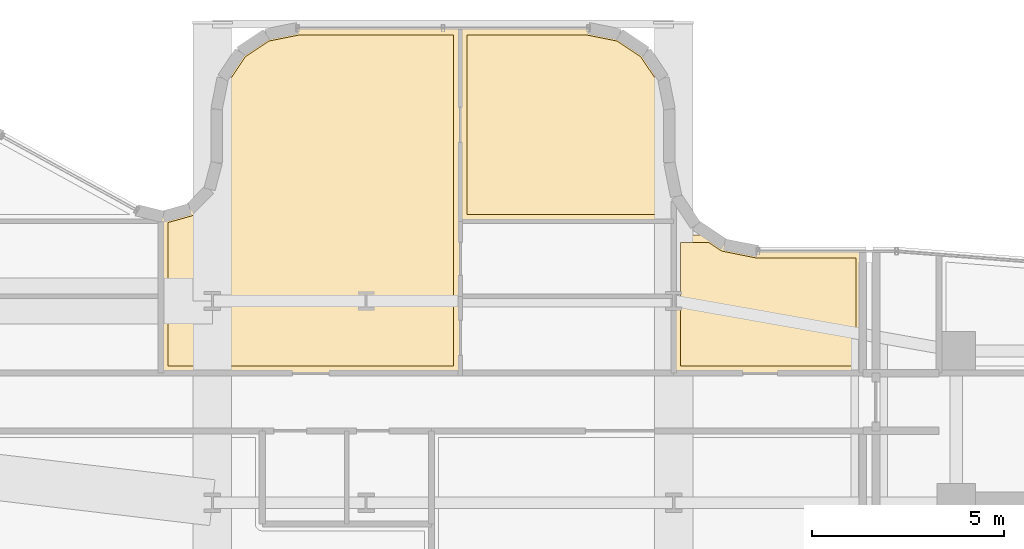
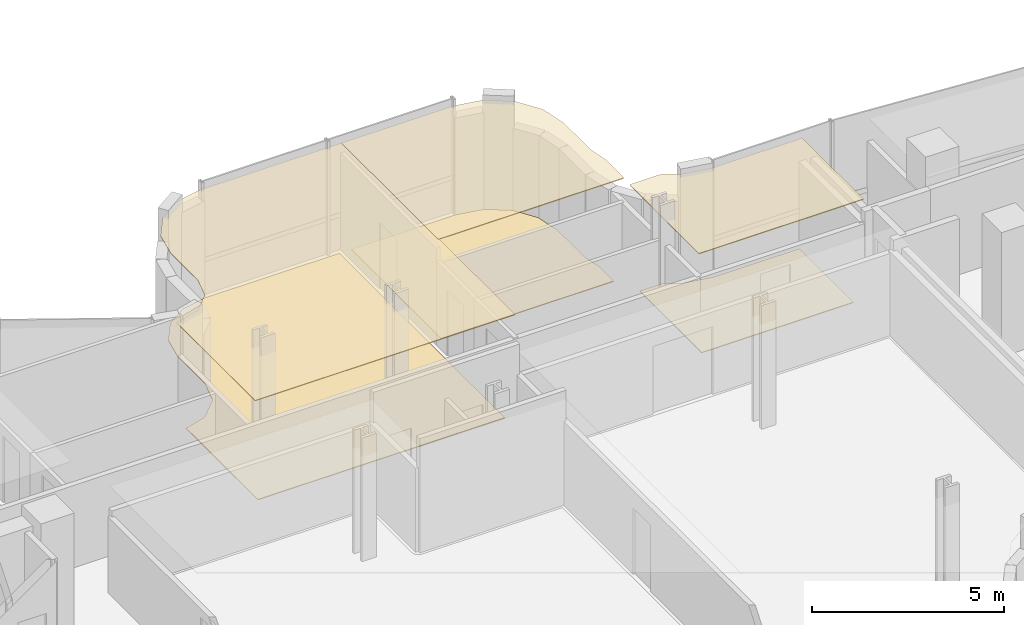
# One storey, part 39 of 39: 6 coverings.
"""IFC4 building model written with IfcOpenShell, lengths in metres."""

from ifc_helpers import new_model, si_unit, direction, frame, origin, place, context, subcontext, project, spatial, polyline, outline, extrude, material, layer, layer_set, type_object, element, save


model = new_model("IFC4")

# Units and contexts
model_context = context("Model", 3, precision=1e-05, world=origin(), true_north=direction((0.0, 1.0)))
body_context = subcontext(model_context, "Body", "Model", "MODEL_VIEW")
ifc_project = project(units=[si_unit("LENGTHUNIT", "METRE"), si_unit("AREAUNIT", "SQUARE_METRE"), si_unit("VOLUMEUNIT", "CUBIC_METRE"), si_unit("PLANEANGLEUNIT", "RADIAN"), si_unit("MASSUNIT", "GRAM", prefix="KILO")], contexts=[model_context])

# Site, building, storey
site_placement = place(None, origin())
site = spatial("IfcSite", under=ifc_project, at=site_placement, CompositionType="ELEMENT")
building_placement = place(site_placement, origin())
building = spatial("IfcBuilding", under=site, at=building_placement, Name="Valdorenza Pilgrim Sanctuary Tower", CompositionType="ELEMENT")
storey_placement = place(building_placement, frame((0.0, 0.0, 184.449951171875)))
storey = spatial("IfcBuildingStorey", under=building, at=storey_placement, Name="L47", CompositionType="ELEMENT", Elevation=184.449951171875)

# Coverings
ifc_material_1 = material(Name="Micro-perforated acoustic mineral ceiling tile", Category="gypsum")
ifc_layer_1 = layer(ifc_material_1, 0.02490234375, Name="Micro-perforated acoustic mineral ceiling tile")
ifc_layer_set_1 = layer_set([ifc_layer_1], Name="Micro-perforated acoustic mineral ceiling tile")
covering_type_1 = type_object("IfcCoveringType", Name="COV-CLG-ACU", PredefinedType="CEILING", material=ifc_layer_set_1)
covering_1_placement = place(storey_placement, frame((0.0, 0.0, 3.330078125)))
element("IfcCovering", 1, at=covering_1_placement, inside=storey, type_object=covering_type_1, Name="L47 North Family Flat L47-N3 Bedroom Acoustic Ceiling", PredefinedType="CEILING", context=body_context, shape_type="SweptSolid", body=[
    extrude(outline(polyline([(2.9501953125, 16.85498046875), (2.94873046875, 16.85498046875), (2.947265625, 16.855224609375), (2.94580078125, 16.855712890625), (2.944580078125, 16.856201171875), (2.943115234375, 16.856689453125), (2.94189453125, 16.857421875), (2.940673828125, 16.8583984375), (2.939697265625, 16.859375), (2.938720703125, 16.860595703125), (2.937744140625, 16.86181640625), (2.93701171875, 16.86279296875), (2.936279296875, 16.8642578125), (2.935791015625, 16.865478515625), (2.935546875, 16.8671875), (2.935302734375, 16.868408203125), (2.935302734375, 16.8701171875), (2.935302734375, 21.889892578125), (2.935302734375, 21.8916015625), (2.935546875, 21.892822265625), (2.935791015625, 21.894287109375), (2.936279296875, 21.895751953125), (2.93701171875, 21.897216796875), (2.937744140625, 21.898193359375), (2.938720703125, 21.8994140625), (2.939697265625, 21.900634765625), (2.940673828125, 21.901611328125), (2.94189453125, 21.902587890625), (2.943115234375, 21.9033203125), (2.944580078125, 21.90380859375), (2.94580078125, 21.904296875), (2.947265625, 21.90478515625), (2.94873046875, 21.90478515625), (2.9501953125, 21.905029296875), (6.28515625, 21.905029296875), (6.28662109375, 21.90478515625), (6.2880859375, 21.90478515625), (7.099365234375, 21.743408203125), (7.100830078125, 21.742919921875), (7.102294921875, 21.742431640625), (7.103515625, 21.74169921875), (7.104736328125, 21.7412109375), (7.783447265625, 21.28759765625), (7.78466796875, 21.286865234375), (7.785888671875, 21.285888671875), (7.786865234375, 21.28466796875), (7.78759765625, 21.283447265625), (8.2412109375, 20.604736328125), (8.24169921875, 20.603515625), (8.242431640625, 20.602294921875), (8.242919921875, 20.600830078125), (8.243408203125, 20.599365234375), (8.40478515625, 19.7880859375), (8.40478515625, 19.78662109375), (8.405029296875, 19.78515625), (8.405029296875, 18.404296875), (8.405517578125, 18.394775390625), (8.406982421875, 18.385009765625), (8.5146484375, 17.84326171875), (8.514892578125, 17.841796875), (8.514892578125, 17.84033203125), (8.514892578125, 16.8701171875), (8.514892578125, 16.868408203125), (8.5146484375, 16.8671875), (8.514404296875, 16.865478515625), (8.513916015625, 16.8642578125), (8.51318359375, 16.86279296875), (8.512451171875, 16.86181640625), (8.51171875, 16.860595703125), (8.510498046875, 16.859375), (8.509521484375, 16.8583984375), (8.50830078125, 16.857421875), (8.507080078125, 16.856689453125), (8.505615234375, 16.856201171875), (8.50439453125, 16.855712890625), (8.5029296875, 16.855224609375), (8.50146484375, 16.85498046875), (8.5, 16.85498046875), (2.9501953125, 16.85498046875)])), origin(), (0.0, 0.0, 1.0), 0.02490234375),
])
covering_2_placement = place(storey_placement, frame((0.0, 0.0, 3.330078125)))
element("IfcCovering", 2, at=covering_2_placement, inside=storey, type_object=covering_type_1, Name="L47 North Family Flat L47-N3 Living Room Acoustic Ceiling", PredefinedType="CEILING", context=body_context, shape_type="SweptSolid", body=[
    extrude(outline(polyline([(-4.845947265625, 14.918212890625), (-4.84619140625, 14.9189453125), (-4.84619140625, 14.92041015625), (-4.84619140625, 14.922119140625), (-4.84619140625, 14.923583984375), (-4.845947265625, 14.923828125), (-4.845947265625, 16.8662109375), (-4.84619140625, 16.866943359375), (-4.84619140625, 16.868408203125), (-4.84619140625, 16.8701171875), (-4.84619140625, 16.87158203125), (-4.845947265625, 16.871826171875), (-4.845947265625, 16.99951171875), (-4.845947265625, 17.001220703125), (-4.845703125, 17.002685546875), (-4.84521484375, 17.004150390625), (-4.8447265625, 17.005615234375), (-4.843994140625, 17.0068359375), (-4.84326171875, 17.008056640625), (-4.84228515625, 17.00927734375), (-4.84130859375, 17.010498046875), (-4.840087890625, 17.011474609375), (-4.839111328125, 17.01220703125), (-4.837646484375, 17.012939453125), (-4.836181640625, 17.013671875), (-4.8349609375, 17.01416015625), (-4.83349609375, 17.014404296875), (-4.831787109375, 17.0146484375), (-4.830322265625, 17.0146484375), (-4.828857421875, 17.014404296875), (-4.827392578125, 17.01416015625), (-4.80615234375, 17.0087890625), (-4.796142578125, 17.0068359375), (-4.786376953125, 17.006103515625), (-4.776611328125, 17.006103515625), (-4.7666015625, 17.00732421875), (-4.756591796875, 17.009765625), (-4.114501953125, 17.19091796875), (-4.104736328125, 17.194091796875), (-4.095947265625, 17.197998046875), (-4.08740234375, 17.203125), (-4.07958984375, 17.208984375), (-4.072021484375, 17.2158203125), (-3.603759765625, 17.69140625), (-3.596923828125, 17.698974609375), (-3.59130859375, 17.70703125), (-3.58642578125, 17.715576171875), (-3.58251953125, 17.724609375), (-3.579345703125, 17.734375), (-3.408203125, 18.37939453125), (-3.406494140625, 18.3876953125), (-3.405517578125, 18.395751953125), (-3.405029296875, 18.404296875), (-3.405029296875, 19.78515625), (-3.40478515625, 19.78662109375), (-3.40478515625, 19.7880859375), (-3.243408203125, 20.599365234375), (-3.242919921875, 20.600830078125), (-3.242431640625, 20.602294921875), (-3.24169921875, 20.603515625), (-3.2412109375, 20.604736328125), (-2.78759765625, 21.283447265625), (-2.786865234375, 21.28466796875), (-2.785888671875, 21.285888671875), (-2.78466796875, 21.286865234375), (-2.783447265625, 21.28759765625), (-2.104736328125, 21.7412109375), (-2.103515625, 21.74169921875), (-2.102294921875, 21.742431640625), (-2.100830078125, 21.742919921875), (-2.099365234375, 21.743408203125), (-1.2880859375, 21.90478515625), (-1.28662109375, 21.90478515625), (-1.28515625, 21.905029296875), (2.9482421875, 21.905029296875), (2.94970703125, 21.90478515625), (2.951171875, 21.90478515625), (2.95263671875, 21.904296875), (2.953857421875, 21.90380859375), (2.955322265625, 21.9033203125), (2.95654296875, 21.902587890625), (2.957763671875, 21.901611328125), (2.958740234375, 21.900634765625), (2.959716796875, 21.8994140625), (2.960693359375, 21.898193359375), (2.96142578125, 21.897216796875), (2.962158203125, 21.895751953125), (2.962646484375, 21.894287109375), (2.962890625, 21.892822265625), (2.963134765625, 21.8916015625), (2.963134765625, 21.889892578125), (2.963134765625, 16.87548828125), (2.96337890625, 16.875), (2.964111328125, 16.87353515625), (2.964599609375, 16.872314453125), (2.96484375, 16.870849609375), (2.965087890625, 16.869384765625), (2.965087890625, 16.867919921875), (2.965087890625, 12.919921875), (2.965087890625, 12.91845703125), (2.96484375, 12.9169921875), (2.964599609375, 12.91552734375), (2.964111328125, 12.914306640625), (2.96337890625, 12.912841796875), (2.962646484375, 12.91162109375), (2.9619140625, 12.910400390625), (2.960693359375, 12.909423828125), (2.959716796875, 12.908447265625), (2.95849609375, 12.907470703125), (2.957275390625, 12.90673828125), (2.955810546875, 12.906005859375), (2.95458984375, 12.905517578125), (2.953125, 12.9052734375), (2.95166015625, 12.905029296875), (2.9501953125, 12.905029296875), (-4.8310546875, 12.905029296875), (-4.83251953125, 12.905029296875), (-4.833984375, 12.9052734375), (-4.83544921875, 12.905517578125), (-4.836669921875, 12.906005859375), (-4.838134765625, 12.90673828125), (-4.83935546875, 12.907470703125), (-4.840576171875, 12.908447265625), (-4.841552734375, 12.909423828125), (-4.842529296875, 12.910400390625), (-4.843505859375, 12.91162109375), (-4.84423828125, 12.912841796875), (-4.844970703125, 12.914306640625), (-4.845458984375, 12.91552734375), (-4.845703125, 12.9169921875), (-4.845947265625, 12.91845703125), (-4.845947265625, 12.919921875), (-4.845947265625, 14.918212890625)])), origin(), (0.0, 0.0, 1.0), 0.02490234375),
])
covering_3_placement = place(storey_placement, frame((0.0, 0.0, 3.330078125)))
element("IfcCovering", 3, at=covering_3_placement, inside=storey, type_object=covering_type_1, Name="L47 East Contemplation Salon L47 Acoustic Ceiling", PredefinedType="CEILING", context=body_context, shape_type="SweptSolid", body=[
    extrude(outline(polyline([(8.487060546875, 14.918212890625), (8.48681640625, 14.9189453125), (8.48681640625, 14.92041015625), (8.48681640625, 14.922119140625), (8.48681640625, 14.923583984375), (8.487060546875, 14.923828125), (8.487060546875, 16.5), (8.487060546875, 16.50146484375), (8.4873046875, 16.5029296875), (8.487548828125, 16.50439453125), (8.488037109375, 16.505615234375), (8.48876953125, 16.507080078125), (8.489501953125, 16.50830078125), (8.490478515625, 16.509521484375), (8.491455078125, 16.510498046875), (8.492431640625, 16.51171875), (8.49365234375, 16.512451171875), (8.494873046875, 16.51318359375), (8.496337890625, 16.513916015625), (8.49755859375, 16.514404296875), (8.4990234375, 16.5146484375), (8.50048828125, 16.514892578125), (8.501953125, 16.514892578125), (9.464599609375, 16.514892578125), (9.466064453125, 16.514892578125), (9.467529296875, 16.5146484375), (9.468994140625, 16.514404296875), (9.470458984375, 16.513916015625), (9.4716796875, 16.51318359375), (9.472900390625, 16.512451171875), (9.8076171875, 16.2890625), (9.81591796875, 16.283935546875), (9.82421875, 16.280029296875), (9.8330078125, 16.27685546875), (9.84228515625, 16.274658203125), (10.68505859375, 16.10693359375), (10.694580078125, 16.10546875), (10.704345703125, 16.10498046875), (13.419921875, 16.10498046875), (13.42138671875, 16.10498046875), (13.4228515625, 16.104736328125), (13.42431640625, 16.1044921875), (13.42578125, 16.10400390625), (13.427001953125, 16.103271484375), (13.42822265625, 16.1025390625), (13.429443359375, 16.1015625), (13.4306640625, 16.1005859375), (13.431640625, 16.099609375), (13.4326171875, 16.098388671875), (13.43310546875, 16.09716796875), (13.433837890625, 16.095703125), (13.434326171875, 16.094482421875), (13.434814453125, 16.093017578125), (13.434814453125, 16.091552734375), (13.43505859375, 16.090087890625), (13.43505859375, 12.919921875), (13.434814453125, 12.91845703125), (13.434814453125, 12.9169921875), (13.434326171875, 12.91552734375), (13.433837890625, 12.914306640625), (13.43310546875, 12.912841796875), (13.4326171875, 12.91162109375), (13.431640625, 12.910400390625), (13.4306640625, 12.909423828125), (13.429443359375, 12.908447265625), (13.42822265625, 12.907470703125), (13.427001953125, 12.90673828125), (13.42578125, 12.906005859375), (13.42431640625, 12.905517578125), (13.4228515625, 12.9052734375), (13.42138671875, 12.905029296875), (13.419921875, 12.905029296875), (8.501953125, 12.905029296875), (8.50048828125, 12.905029296875), (8.4990234375, 12.9052734375), (8.49755859375, 12.905517578125), (8.496337890625, 12.906005859375), (8.494873046875, 12.90673828125), (8.49365234375, 12.907470703125), (8.492431640625, 12.908447265625), (8.491455078125, 12.909423828125), (8.490478515625, 12.910400390625), (8.489501953125, 12.91162109375), (8.48876953125, 12.912841796875), (8.488037109375, 12.914306640625), (8.487548828125, 12.91552734375), (8.4873046875, 12.9169921875), (8.487060546875, 12.91845703125), (8.487060546875, 12.919921875), (8.487060546875, 14.918212890625)])), origin(), (0.0, 0.0, 1.0), 0.02490234375),
])
ifc_material_2 = material(Name="Engineered European oak timber flooring", Category="wood")
ifc_layer_2 = layer(ifc_material_2, 0.02197265625, Name="Engineered European oak timber flooring")
ifc_layer_set_2 = layer_set([ifc_layer_2], Name="Engineered European oak timber flooring")
covering_type_2 = type_object("IfcCoveringType", Name="COV-FLR-OAK", PredefinedType="FLOORING", material=ifc_layer_set_2)
covering_4_placement = place(storey_placement, origin())
element("IfcCovering", 4, at=covering_4_placement, inside=storey, type_object=covering_type_2, Name="L47 North Family Flat L47-N3 Bedroom Flooring", PredefinedType="FLOORING", context=body_context, shape_type="SweptSolid", body=[
    extrude(outline(polyline([(3.130126953125, 17.050048828125), (3.130126953125, 21.7099609375), (6.267333984375, 21.7099609375), (7.0263671875, 21.55908203125), (7.6455078125, 21.1455078125), (8.05908203125, 20.5263671875), (8.2099609375, 19.767333984375), (8.2099609375, 18.404052734375), (8.210205078125, 18.395263671875), (8.210693359375, 18.384521484375), (8.21240234375, 18.36669921875), (8.214111328125, 18.356201171875), (8.215576171875, 18.347412109375), (8.320068359375, 17.822509765625), (8.320068359375, 17.050048828125), (3.130126953125, 17.050048828125)])), origin(), (0.0, 0.0, 1.0), 0.025146484375),
])
covering_5_placement = place(storey_placement, origin())
element("IfcCovering", 5, at=covering_5_placement, inside=storey, type_object=covering_type_2, Name="L47 North Family Flat L47-N3 Living Room Flooring", PredefinedType="FLOORING", context=body_context, shape_type="SweptSolid", body=[
    extrude(outline(polyline([(-4.65087890625, 14.921630859375), (-4.65087890625, 14.922119140625), (-4.65087890625, 16.8369140625), (-4.061279296875, 17.003173828125), (-4.05224609375, 17.005859375), (-4.04150390625, 17.009521484375), (-4.024169921875, 17.0166015625), (-4.013916015625, 17.021240234375), (-3.997314453125, 17.02978515625), (-3.987548828125, 17.03564453125), (-3.971923828125, 17.0458984375), (-3.962890625, 17.052734375), (-3.948486328125, 17.064697265625), (-3.93994140625, 17.072509765625), (-3.933349609375, 17.078857421875), (-3.464599609375, 17.5546875), (-3.458251953125, 17.5615234375), (-3.45068359375, 17.5703125), (-3.43896484375, 17.584716796875), (-3.432373046875, 17.593994140625), (-3.42236328125, 17.609619140625), (-3.41650390625, 17.61962890625), (-3.408203125, 17.63623046875), (-3.403564453125, 17.646728515625), (-3.39697265625, 17.664306640625), (-3.3935546875, 17.675048828125), (-3.390869140625, 17.68408203125), (-3.2197265625, 18.32958984375), (-3.218017578125, 18.337158203125), (-3.2158203125, 18.346435546875), (-3.213134765625, 18.36181640625), (-3.2119140625, 18.37109375), (-3.210693359375, 18.38671875), (-3.210205078125, 18.396240234375), (-3.2099609375, 18.404052734375), (-3.2099609375, 19.767333984375), (-3.05908203125, 20.5263671875), (-2.6455078125, 21.1455078125), (-2.0263671875, 21.55908203125), (-1.267333984375, 21.7099609375), (2.768310546875, 21.7099609375), (2.768310546875, 16.8701171875), (2.77001953125, 13.10009765625), (-4.65087890625, 13.10009765625), (-4.65087890625, 14.919921875), (-4.65087890625, 14.9208984375), (-4.65087890625, 14.921630859375)])), origin(), (0.0, 0.0, 1.0), 0.025146484375),
])
ifc_material_3 = material(Name="Honed travertine stone flooring", Category="masonry")
ifc_layer_3 = layer(ifc_material_3, 0.030029296875, Name="Honed travertine stone flooring")
ifc_layer_set_3 = layer_set([ifc_layer_3], Name="Honed travertine stone flooring")
covering_type_3 = type_object("IfcCoveringType", Name="COV-FLR-TRV", PredefinedType="FLOORING", material=ifc_layer_set_3)
covering_6_placement = place(storey_placement, origin())
element("IfcCovering", 6, at=covering_6_placement, inside=storey, type_object=covering_type_3, Name="L47 East Contemplation Salon L47 Flooring", PredefinedType="FLOORING", context=body_context, shape_type="SweptSolid", body=[
    extrude(outline(polyline([(8.681884765625, 14.921630859375), (8.681884765625, 14.922119140625), (8.681884765625, 16.320068359375), (9.41015625, 16.320068359375), (9.699462890625, 16.126708984375), (9.70703125, 16.121826171875), (9.71630859375, 16.116455078125), (9.731689453125, 16.108154296875), (9.74169921875, 16.103515625), (9.7578125, 16.0966796875), (9.76806640625, 16.093017578125), (9.784912109375, 16.087890625), (9.79541015625, 16.085205078125), (9.803955078125, 16.08349609375), (10.6474609375, 15.91552734375), (10.656005859375, 15.9140625), (10.666748046875, 15.91259765625), (10.684326171875, 15.91064453125), (10.6953125, 15.91015625), (10.7041015625, 15.909912109375), (13.239990234375, 15.909912109375), (13.239990234375, 13.10009765625), (8.681884765625, 13.10009765625), (8.681884765625, 14.919921875), (8.681884765625, 14.9208984375), (8.681884765625, 14.921630859375)])), origin(), (0.0, 0.0, 1.0), 0.025146484375),
])

save(model, "model.ifc")
